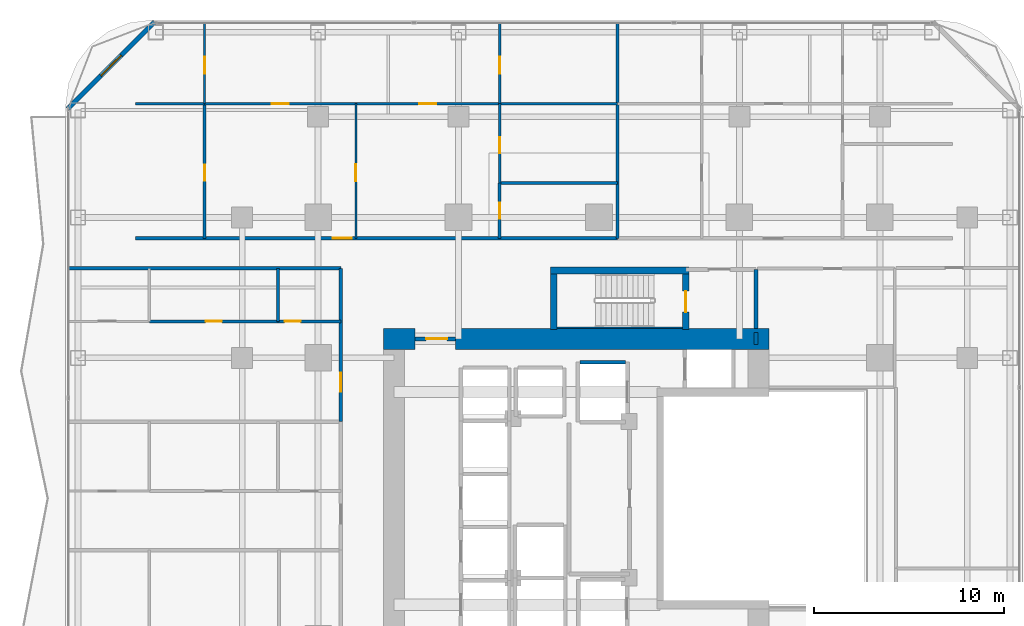
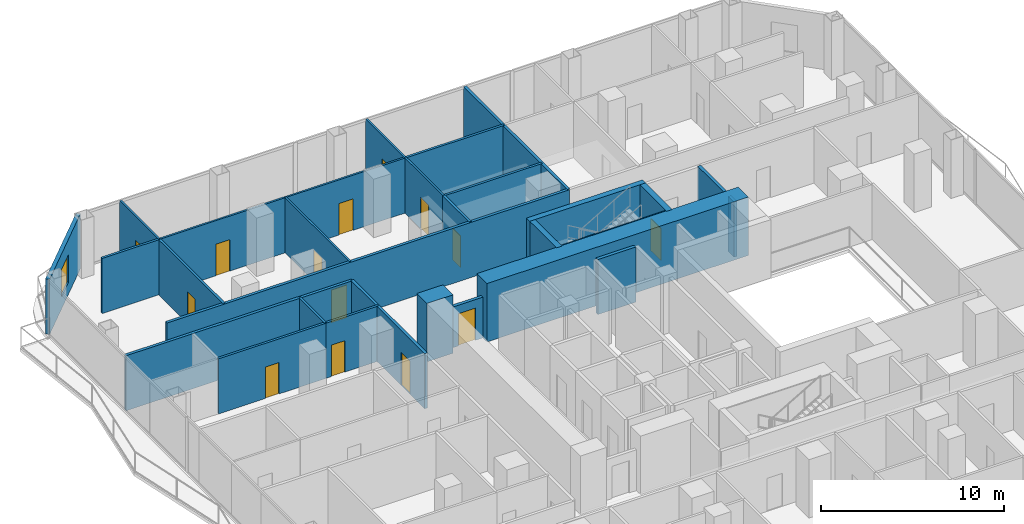
# One storey, part 23 of 29: 29 walls, 14 doors, 1 window, 15 openings.
"""IFC4 building model written with IfcOpenShell, lengths in metres."""

from ifc_helpers import new_model, si_unit, direction, frame, frame_2d, origin, place, context, subcontext, project, spatial, rectangle, extrude, material, layer, layer_set, type_object, element, fill, save


model = new_model("IFC4")

# Units and contexts
model_context = context("Model", 3, precision=1e-05, world=origin(), true_north=direction((0.0, 1.0)))
body_context = subcontext(model_context, "Body", "Model", "MODEL_VIEW")
ifc_project = project(units=[si_unit("LENGTHUNIT", "METRE"), si_unit("AREAUNIT", "SQUARE_METRE"), si_unit("VOLUMEUNIT", "CUBIC_METRE"), si_unit("PLANEANGLEUNIT", "RADIAN"), si_unit("MASSUNIT", "GRAM", prefix="KILO")], contexts=[model_context])

# Site, building, storey
site_placement = place(None, origin())
site = spatial("IfcSite", under=ifc_project, at=site_placement, CompositionType="ELEMENT")
building_placement = place(site_placement, origin())
building = spatial("IfcBuilding", under=site, at=building_placement, Name="Khorvyn Point Tower", CompositionType="ELEMENT")
storey_placement = place(building_placement, frame((0.0, 0.0, 61.800048828125)))
storey = spatial("IfcBuildingStorey", under=building, at=storey_placement, Name="L16", CompositionType="ELEMENT", Elevation=61.800048828125)

# Wall, opening, door
ifc_material_1 = material(Name="Double acoustic gypsum on twin steel stud", Category="steel")
ifc_layer_1 = layer(ifc_material_1, 0.179931640625)
ifc_layer_set_1 = layer_set([ifc_layer_1], Name="Acoustic Double-Stud Apartment Demising Wall 180")
wall_type_1 = type_object("IfcWallType", Name="Acoustic Double-Stud Apartment Demising Wall 180", PredefinedType="PARTITIONING", material=ifc_layer_set_1)
wall_1_placement = place(storey_placement, frame((-24.419921875, 13.699951171875, 0.0), z_axis=(0.0, 0.0, 1.0), x_axis=(1.0, 0.0, 0.0)))
wall_1 = element("IfcWall", 1, at=wall_1_placement, inside=storey, type_object=wall_type_1, Name="Wall", PredefinedType="PARTITIONING", context=body_context, shape_type="SweptSolid", body=[
    extrude(rectangle(XDim=25.39404296875, YDim=0.179931640625, at=frame_2d((12.697021484375, 0.0))), origin(), (0.0, 0.0, 1.0), 3.679931640625),
])
opening_1_placement = place(wall_1_placement, frame((10.400390625, 0.0, 0.0)))
opening_1 = element("IfcOpeningElement", 2, at=opening_1_placement, cuts=wall_1, Name="Opening ID-AP60", PredefinedType="OPENING", context=body_context, shape_type="SweptSolid", body=[
    extrude(rectangle(XDim=1.0, YDim=2.199951171875, at=frame_2d((0.5, 1.10009765625))), frame((0.0, 0.099853515625, 0.0), z_axis=(0.0, -1.0, 0.0), x_axis=(1.0, 0.0, 0.0)), (0.0, 0.0, 1.0), 0.199951171875),
])
ifc_material_2 = material(Name="Engineered hardwood fire-rated leaf", Category="wood")
door_type_1 = type_object("IfcDoorType", Name="Acoustic Solid-Core Timber Apartment Entrance Door 1000x2200", OperationType="NOTDEFINED", PredefinedType="DOOR", material=ifc_material_2)
door_1_placement = place(opening_1_placement, origin())
door_1 = element("IfcDoor", 3, at=door_1_placement, inside=storey, type_object=door_type_1, Name="Door", OperationType="SINGLE_SWING_LEFT", OverallHeight=2.199951171875, OverallWidth=1.0, PredefinedType="DOOR", context=body_context, shape_type="SweptSolid", body=[
    extrude(rectangle(XDim=1.0, YDim=2.199951171875, at=frame_2d((0.5, 1.10009765625))), frame((0.0, 0.02490234375, 0.0), z_axis=(0.0, -1.0, 0.0), x_axis=(1.0, 0.0, 0.0)), (0.0, 0.0, 1.0), 0.050048828125),
])
fill(opening_1, door_1)

wall_2_placement = place(storey_placement, frame((-13.60009765625, 4.0400390625, 0.0), z_axis=(0.0, 0.0, 1.0), x_axis=(0.0, 1.0, 0.0)))
wall_2 = element("IfcWall", 4, at=wall_2_placement, inside=storey, type_object=wall_type_1, Name="Wall", PredefinedType="PARTITIONING", context=body_context, shape_type="SweptSolid", body=[
    extrude(rectangle(XDim=8.080078125, YDim=0.179931640625, at=frame_2d((4.0400390625, 0.0))), origin(), (0.0, 0.0, 1.0), 3.679931640625),
])
opening_2_placement = place(wall_2_placement, frame((1.583251953125, 0.0, 0.0)))
opening_2 = element("IfcOpeningElement", 5, at=opening_2_placement, cuts=wall_2, Name="Opening ID-AP60", PredefinedType="OPENING", context=body_context, shape_type="SweptSolid", body=[
    extrude(rectangle(XDim=1.0, YDim=2.199951171875, at=frame_2d((0.5, 1.10009765625))), frame((0.0, 0.099853515625, 0.0), z_axis=(0.0, -1.0, 0.0), x_axis=(1.0, 0.0, 0.0)), (0.0, 0.0, 1.0), 0.199951171875),
])
door_2_placement = place(opening_2_placement, origin())
door_2 = element("IfcDoor", 6, at=door_2_placement, inside=storey, type_object=door_type_1, Name="Door", OperationType="SINGLE_SWING_LEFT", OverallHeight=2.199951171875, OverallWidth=1.0, PredefinedType="DOOR", context=body_context, shape_type="SweptSolid", body=[
    extrude(rectangle(XDim=1.0, YDim=2.199951171875, at=frame_2d((0.5, 1.10009765625))), frame((0.0, 0.02490234375, 0.0), z_axis=(0.0, -1.0, 0.0), x_axis=(1.0, 0.0, 0.0)), (0.0, 0.0, 1.0), 0.050048828125),
])
fill(opening_2, door_2)

# Walls
wall_3_placement = place(storey_placement, frame((0.97412109375, 13.699951171875, 0.0), z_axis=(0.0, 0.0, 1.0), x_axis=(0.0, 1.0, 0.0)))
element("IfcWall", 7, at=wall_3_placement, inside=storey, type_object=wall_type_1, Name="Wall", PredefinedType="PARTITIONING", context=body_context, shape_type="SweptSolid", body=[
    extrude(rectangle(XDim=11.330078125, YDim=0.179931640625, at=frame_2d((5.6650390625, 0.0))), origin(), (0.0, 0.0, 1.0), 3.679931640625),
])
wall_4_placement = place(storey_placement, frame((-27.929931640625, 12.1201171875, 0.0), z_axis=(0.0, 0.0, 1.0), x_axis=(1.0, 0.0, 0.0)))
element("IfcWall", 8, at=wall_4_placement, inside=storey, type_object=wall_type_1, Name="Wall", PredefinedType="PARTITIONING", context=body_context, shape_type="SweptSolid", body=[
    extrude(rectangle(XDim=14.329833984375, YDim=0.179931640625, at=frame_2d((7.1650390625, 0.0))), origin(), (0.0, 0.0, 1.0), 3.679931640625),
])

# Wall, opening, window
ifc_material_3 = material(Name="Pale anodised aluminium rainscreen on steel stud", Category="steel")
ifc_layer_2 = layer(ifc_material_3, 0.239990234375)
ifc_layer_set_2 = layer_set([ifc_layer_2], Name="Anodised Aluminium Insulated Corner Spandrel Wall 240")
wall_type_2 = type_object("IfcWallType", Name="Anodised Aluminium Insulated Corner Spandrel Wall 240", PredefinedType="SOLIDWALL", material=ifc_layer_set_2)
wall_5_placement = place(storey_placement, frame((-27.992431640625, 20.507568359375, 0.0), z_axis=(0.0, 0.0, 1.0), x_axis=(0.707106781187, 0.707106781187, 0.0)))
wall_5 = element("IfcWall", 9, at=wall_5_placement, inside=storey, type_object=wall_type_2, Name="L16 Rounded Corner Wall NW", PredefinedType="SOLIDWALL", context=body_context, shape_type="SweptSolid", body=[
    extrude(rectangle(XDim=6.48388671875, YDim=0.239990234375, at=frame_2d((3.241943359375, 0.0))), origin(), (0.0, 0.0, 1.0), 3.679931640625),
])
opening_3_placement = place(wall_5_placement, frame((2.491943359375, 0.0, 0.800048828125)))
opening_3 = element("IfcOpeningElement", 10, at=opening_3_placement, cuts=wall_5, Name="Opening WN-1518", PredefinedType="OPENING", context=body_context, shape_type="SweptSolid", body=[
    extrude(rectangle(XDim=1.5, YDim=1.85009765625, at=frame_2d((0.75, 0.925048828125))), frame((0.0, 0.1298828125, 0.0), z_axis=(0.0, -1.0, 0.0), x_axis=(1.0, 0.0, 0.0)), (0.0, 0.0, 1.0), 0.260009765625),
])
ifc_material_4 = material(Name="Anodised aluminium 6063-T6 and laminated Low-E glass", Category="aluminium")
window_type = type_object("IfcWindowType", Name="Anodised Aluminium Rounded-Corner Panoramic Window 1500x1850", PartitioningType="SINGLE_PANEL", PredefinedType="WINDOW", material=ifc_material_4)
window_placement = place(opening_3_placement, origin())
window = element("IfcWindow", 11, at=window_placement, inside=storey, type_object=window_type, Name="L16 Corner Panoramic Window NW", OverallHeight=1.85009765625, OverallWidth=1.5, PartitioningType="SINGLE_PANEL", PredefinedType="WINDOW", context=body_context, shape_type="SweptSolid", body=[
    extrude(rectangle(XDim=1.5, YDim=1.85009765625, at=frame_2d((0.75, 0.925048828125))), frame((0.0, 0.030029296875, 0.0), z_axis=(0.0, -1.0, 0.0), x_axis=(1.0, 0.0, 0.0)), (0.0, 0.0, 1.0), 0.06005859375),
])
fill(opening_3, window)

# Wall, opening, door
ifc_material_5 = material(Name="Concrete C40/50", Category="concrete")
ifc_layer_3 = layer(ifc_material_5, 0.199951171875)
ifc_layer_set_3 = layer_set([ifc_layer_3], Name="Concrete C40/50 Fire-Lobby Compartment Wall 200")
wall_type_3 = type_object("IfcWallType", Name="Concrete C40/50 Fire-Lobby Compartment Wall 200", PredefinedType="SOLIDWALL", material=ifc_layer_set_3)
wall_6_placement = place(storey_placement, frame((-9.699951171875, 8.39990234375, 0.0), z_axis=(0.0, 0.0, 1.0), x_axis=(1.0, 0.0, 0.0)))
wall_6 = element("IfcWall", 12, at=wall_6_placement, inside=storey, type_object=wall_type_3, Name="Wall", PredefinedType="SOLIDWALL", context=body_context, shape_type="SweptSolid", body=[
    extrude(rectangle(XDim=2.14990234375, YDim=0.199951171875, at=frame_2d((1.074951171875, 0.0))), origin(), (0.0, 0.0, 1.0), 2.719970703125),
])
opening_4_placement = place(wall_6_placement, frame((0.597900390625, 0.0, 0.0)))
opening_4 = element("IfcOpeningElement", 13, at=opening_4_placement, cuts=wall_6, Name="Opening ID-FL90", PredefinedType="OPENING", context=body_context, shape_type="SweptSolid", body=[
    extrude(rectangle(XDim=1.10009765625, YDim=2.14990234375, at=frame_2d((0.550048828125, 1.074951171875))), frame((0.0, 0.10986328125, 0.0), z_axis=(0.0, -1.0, 0.0), x_axis=(1.0, 0.0, 0.0)), (0.0, 0.0, 1.0), 0.219970703125),
])
ifc_material_6 = material(Name="Galvanised powder-coated steel", Category="steel")
door_type_2 = type_object("IfcDoorType", Name="Fire-Rated Steel Lobby and Stair Door 1100x2150", OperationType="NOTDEFINED", PredefinedType="DOOR", material=ifc_material_6)
door_3_placement = place(opening_4_placement, origin())
door_3 = element("IfcDoor", 14, at=door_3_placement, inside=storey, type_object=door_type_2, Name="Door", OperationType="SINGLE_SWING_LEFT", OverallHeight=2.14990234375, OverallWidth=1.10009765625, PredefinedType="DOOR", context=body_context, shape_type="SweptSolid", body=[
    extrude(rectangle(XDim=1.10009765625, YDim=2.14990234375, at=frame_2d((0.550048828125, 1.074951171875))), frame((0.0, 0.02490234375, 0.0), z_axis=(0.0, -1.0, 0.0), x_axis=(1.0, 0.0, 0.0)), (0.0, 0.0, 1.0), 0.050048828125),
])
fill(opening_4, door_3)

# Walls
wall_7_placement = place(storey_placement, frame((8.280029296875, 8.949951171875, 0.0), z_axis=(0.0, 0.0, 1.0), x_axis=(0.0, 1.0, 0.0)))
element("IfcWall", 15, at=wall_7_placement, inside=storey, type_object=wall_type_3, Name="Wall", PredefinedType="SOLIDWALL", context=body_context, shape_type="SweptSolid", body=[
    extrude(rectangle(XDim=3.110107421875, YDim=0.199951171875, at=frame_2d((1.55517578125, 0.0))), origin(), (0.0, 0.0, 1.0), 3.679931640625),
])
wall_8_placement = place(storey_placement, frame((8.280029296875, 8.10009765625, 0.0), z_axis=(0.0, 0.0, 1.0), x_axis=(0.0, 1.0, 0.0)))
element("IfcWall", 16, at=wall_8_placement, inside=storey, type_object=wall_type_3, Name="Wall", PredefinedType="SOLIDWALL", context=body_context, shape_type="SweptSolid", body=[
    extrude(rectangle(XDim=0.625, YDim=0.199951171875, at=frame_2d((0.3125, 0.0))), origin(), (0.0, 0.0, 1.0), 3.679931640625),
])
ifc_layer_4 = layer(ifc_material_5, 0.25)
ifc_layer_set_4 = layer_set([ifc_layer_4], Name="Concrete C40/50 Stair Inner Cheek Structural Wall 250")
wall_type_4 = type_object("IfcWallType", Name="Concrete C40/50 Stair Inner Cheek Structural Wall 250", PredefinedType="SHEAR", material=ifc_layer_set_4)
wall_9_placement = place(storey_placement, frame((-2.199951171875, 8.987548828125, 0.0), z_axis=(0.0, 0.0, 1.0), x_axis=(1.0, 0.0, 0.0)))
element("IfcWall", 17, at=wall_9_placement, inside=storey, type_object=wall_type_4, Name="Wall", PredefinedType="SHEAR", context=body_context, shape_type="SweptSolid", body=[
    extrude(rectangle(XDim=6.599853515625, YDim=0.074951171875, at=frame_2d((3.2998046875, 0.0))), origin(), (0.0, 0.0, 1.0), 3.89990234375),
])
ifc_layer_5 = layer(ifc_material_5, 0.35009765625)
ifc_layer_set_5 = layer_set([ifc_layer_5], Name="Concrete C40/50 Stair Shaft Structural Wall 350")
wall_type_5 = type_object("IfcWallType", Name="Concrete C40/50 Stair Shaft Structural Wall 350", PredefinedType="SHEAR", material=ifc_layer_set_5)
wall_10_placement = place(storey_placement, frame((-2.554931640625, 12.0, 0.0), z_axis=(0.0, 0.0, 1.0), x_axis=(1.0, 0.0, 0.0)))
element("IfcWall", 18, at=wall_10_placement, inside=storey, type_object=wall_type_5, Name="L16 ST-02 North Shaft Wall", PredefinedType="SHEAR", context=body_context, shape_type="SweptSolid", body=[
    extrude(rectangle(XDim=7.309814453125, YDim=0.35009765625, at=frame_2d((3.65478515625, 0.0))), origin(), (0.0, 0.0, 1.0), 3.89990234375),
])
wall_11_placement = place(storey_placement, frame((-2.3798828125, 8.89990234375, 0.0), z_axis=(0.0, 0.0, 1.0), x_axis=(0.0, 1.0, 0.0)))
element("IfcWall", 19, at=wall_11_placement, inside=storey, type_object=wall_type_5, Name="L16 ST-02 West Shaft Wall", PredefinedType="SHEAR", context=body_context, shape_type="SweptSolid", body=[
    extrude(rectangle(XDim=2.925048828125, YDim=0.35009765625, at=frame_2d((1.46240234375, 0.0))), origin(), (0.0, 0.0, 1.0), 3.89990234375),
])

# Wall, opening, door
wall_12_placement = place(storey_placement, frame((4.580078125, 11.824951171875, 0.0), z_axis=(0.0, 0.0, 1.0), x_axis=(0.0, -1.0, 0.0)))
wall_12 = element("IfcWall", 20, at=wall_12_placement, inside=storey, type_object=wall_type_5, Name="L16 ST-02 East Landing Door Wall", PredefinedType="SHEAR", context=body_context, shape_type="SweptSolid", body=[
    extrude(rectangle(XDim=2.925048828125, YDim=0.35009765625, at=frame_2d((1.46240234375, 0.0))), origin(), (0.0, 0.0, 1.0), 3.89990234375),
])
opening_5_placement = place(wall_12_placement, frame((0.91259765625, 0.0, 0.0)))
opening_5 = element("IfcOpeningElement", 21, at=opening_5_placement, cuts=wall_12, Name="Opening ID-FL90", PredefinedType="OPENING", context=body_context, shape_type="SweptSolid", body=[
    extrude(rectangle(XDim=1.10009765625, YDim=2.14990234375, at=frame_2d((0.550048828125, 1.074951171875))), frame((0.0, 0.18505859375, 0.0), z_axis=(0.0, -1.0, 0.0), x_axis=(1.0, 0.0, 0.0)), (0.0, 0.0, 1.0), 0.3701171875),
])
door_4_placement = place(opening_5_placement, origin())
door_4 = element("IfcDoor", 22, at=door_4_placement, inside=storey, type_object=door_type_2, Name="L16 ST-02 Smokeproof Landing Door", OperationType="SINGLE_SWING_LEFT", OverallHeight=2.14990234375, OverallWidth=1.10009765625, PredefinedType="DOOR", context=body_context, shape_type="SweptSolid", body=[
    extrude(rectangle(XDim=1.10009765625, YDim=2.14990234375, at=frame_2d((0.550048828125, 1.074951171875))), frame((0.0, 0.02490234375, 0.0), z_axis=(0.0, -1.0, 0.0), x_axis=(1.0, 0.0, 0.0)), (0.0, 0.0, 1.0), 0.050048828125),
])
fill(opening_5, door_4)

# Walls
ifc_layer_6 = layer(ifc_material_5, 0.199951171875)
ifc_layer_set_6 = layer_set([ifc_layer_6], Name="Concrete C40/50 Structural Hoistway and Stair Shaft Wall 200")
wall_type_6 = type_object("IfcWallType", Name="Concrete C40/50 Structural Hoistway and Stair Shaft Wall 200", PredefinedType="SHEAR", material=ifc_layer_set_6)
wall_13_placement = place(storey_placement, frame((-1.0, 7.175048828125, 0.0), z_axis=(0.0, 0.0, 1.0), x_axis=(1.0, 0.0, 0.0)))
element("IfcWall", 23, at=wall_13_placement, inside=storey, type_object=wall_type_6, Name="Wall", PredefinedType="SHEAR", context=body_context, shape_type="SweptSolid", body=[
    extrude(rectangle(XDim=2.39990234375, YDim=0.199951171875, at=frame_2d((1.199951171875, 0.0))), origin(), (0.0, 0.0, 1.0), 3.679931640625),
])
ifc_material_7 = material(Name="Concrete C50/60", Category="concrete")
ifc_layer_7 = layer(ifc_material_7, 1.10009765625)
ifc_layer_set_7 = layer_set([ifc_layer_7], Name="Concrete C50/60 Core Shear Wall 1100")
wall_type_7 = type_object("IfcWallType", Name="Concrete C50/60 Core Shear Wall 1100", PredefinedType="SHEAR", material=ifc_layer_set_7)
wall_14_placement = place(storey_placement, frame((-11.35009765625, 8.39990234375, 0.0), z_axis=(0.0, 0.0, 1.0), x_axis=(1.0, 0.0, 0.0)))
element("IfcWall", 24, at=wall_14_placement, inside=storey, type_object=wall_type_7, Name="Wall", PredefinedType="SHEAR", context=body_context, shape_type="SweptSolid", body=[
    extrude(rectangle(XDim=1.650146484375, YDim=1.10009765625, at=frame_2d((0.8251953125, 0.0))), origin(), (0.0, 0.0, 1.0), 3.89990234375),
])
wall_15_placement = place(storey_placement, frame((-7.550048828125, 8.39990234375, 0.0), z_axis=(0.0, 0.0, 1.0), x_axis=(1.0, 0.0, 0.0)))
element("IfcWall", 25, at=wall_15_placement, inside=storey, type_object=wall_type_7, Name="Wall", PredefinedType="SHEAR", context=body_context, shape_type="SweptSolid", body=[
    extrude(rectangle(XDim=16.5, YDim=1.10009765625, at=frame_2d((8.25, 0.0))), origin(), (0.0, 0.0, 1.0), 3.89990234375),
])

# Wall, opening, door
ifc_material_8 = material(Name="Gypsum plasterboard on steel stud", Category="steel")
ifc_layer_8 = layer(ifc_material_8, 0.1201171875)
ifc_layer_set_8 = layer_set([ifc_layer_8], Name="Gypsum Acoustic Stud Room Partition Wall 120")
wall_type_8 = type_object("IfcWallType", Name="Gypsum Acoustic Stud Room Partition Wall 120", PredefinedType="PARTITIONING", material=ifc_layer_set_8)
wall_16_placement = place(storey_placement, frame((-20.77587890625, 20.7900390625, 0.0), z_axis=(0.0, 0.0, 1.0), x_axis=(1.0, 0.0, 0.0)))
wall_16 = element("IfcWall", 26, at=wall_16_placement, inside=storey, type_object=wall_type_8, Name="Wall", PredefinedType="PARTITIONING", context=body_context, shape_type="SweptSolid", body=[
    extrude(rectangle(XDim=7.970947265625, YDim=0.1201171875, at=frame_2d((3.9853515625, 0.0))), origin(), (0.0, 0.0, 1.0), 3.679931640625),
])
opening_6_placement = place(wall_16_placement, frame((3.535400390625, 0.0, 0.0)))
opening_6 = element("IfcOpeningElement", 27, at=opening_6_placement, cuts=wall_16, Name="Opening ID-RM90", PredefinedType="OPENING", context=body_context, shape_type="SweptSolid", body=[
    extrude(rectangle(XDim=0.89990234375, YDim=2.10009765625, at=frame_2d((0.449951171875, 1.050048828125))), frame((0.0, 0.070068359375, 0.0), z_axis=(0.0, -1.0, 0.0), x_axis=(1.0, 0.0, 0.0)), (0.0, 0.0, 1.0), 0.14013671875),
])
ifc_material_9 = material(Name="Engineered oak veneer timber", Category="wood")
door_type_3 = type_object("IfcDoorType", Name="Flush Engineered Timber Room Door 900x2100", OperationType="NOTDEFINED", PredefinedType="DOOR", material=ifc_material_9)
door_5_placement = place(opening_6_placement, origin())
door_5 = element("IfcDoor", 28, at=door_5_placement, inside=storey, type_object=door_type_3, Name="Door", OperationType="SINGLE_SWING_RIGHT", OverallHeight=2.10009765625, OverallWidth=0.89990234375, PredefinedType="DOOR", context=body_context, shape_type="SweptSolid", body=[
    extrude(rectangle(XDim=0.89990234375, YDim=2.10009765625, at=frame_2d((0.449951171875, 1.050048828125))), frame((0.0, 0.02490234375, 0.0), z_axis=(0.0, -1.0, 0.0), x_axis=(1.0, 0.0, 0.0)), (0.0, 0.0, 1.0), 0.050048828125),
])
fill(opening_6, door_5)

wall_17_placement = place(storey_placement, frame((-12.804931640625, 20.7900390625, 0.0), z_axis=(0.0, 0.0, 1.0), x_axis=(1.0, 0.0, 0.0)))
wall_17 = element("IfcWall", 29, at=wall_17_placement, inside=storey, type_object=wall_type_8, Name="Wall", PredefinedType="PARTITIONING", context=body_context, shape_type="SweptSolid", body=[
    extrude(rectangle(XDim=7.572998046875, YDim=0.1201171875, at=frame_2d((3.78662109375, 0.0))), origin(), (0.0, 0.0, 1.0), 3.679931640625),
])
opening_7_placement = place(wall_17_placement, frame((3.33642578125, 0.0, 0.0)))
opening_7 = element("IfcOpeningElement", 30, at=opening_7_placement, cuts=wall_17, Name="Opening ID-RM90", PredefinedType="OPENING", context=body_context, shape_type="SweptSolid", body=[
    extrude(rectangle(XDim=0.89990234375, YDim=2.10009765625, at=frame_2d((0.449951171875, 1.050048828125))), frame((0.0, 0.070068359375, 0.0), z_axis=(0.0, -1.0, 0.0), x_axis=(1.0, 0.0, 0.0)), (0.0, 0.0, 1.0), 0.14013671875),
])
door_6_placement = place(opening_7_placement, origin())
door_6 = element("IfcDoor", 31, at=door_6_placement, inside=storey, type_object=door_type_3, Name="Door", OperationType="SINGLE_SWING_LEFT", OverallHeight=2.10009765625, OverallWidth=0.89990234375, PredefinedType="DOOR", context=body_context, shape_type="SweptSolid", body=[
    extrude(rectangle(XDim=0.89990234375, YDim=2.10009765625, at=frame_2d((0.449951171875, 1.050048828125))), frame((0.0, 0.02490234375, 0.0), z_axis=(0.0, -1.0, 0.0), x_axis=(1.0, 0.0, 0.0)), (0.0, 0.0, 1.0), 0.050048828125),
])
fill(opening_7, door_6)

wall_18_placement = place(storey_placement, frame((-12.804931640625, 13.699951171875, 0.0), z_axis=(0.0, 0.0, 1.0), x_axis=(0.0, 1.0, 0.0)))
wall_18 = element("IfcWall", 32, at=wall_18_placement, inside=storey, type_object=wall_type_8, Name="Wall", PredefinedType="PARTITIONING", context=body_context, shape_type="SweptSolid", body=[
    extrude(rectangle(XDim=7.090087890625, YDim=0.1201171875, at=frame_2d((3.544921875, 0.0))), origin(), (0.0, 0.0, 1.0), 3.679931640625),
])
opening_8_placement = place(wall_18_placement, frame((3.006103515625, 0.0, 0.0)))
opening_8 = element("IfcOpeningElement", 33, at=opening_8_placement, cuts=wall_18, Name="Opening ID-RM90", PredefinedType="OPENING", context=body_context, shape_type="SweptSolid", body=[
    extrude(rectangle(XDim=0.89990234375, YDim=2.10009765625, at=frame_2d((0.449951171875, 1.050048828125))), frame((0.0, 0.070068359375, 0.0), z_axis=(0.0, -1.0, 0.0), x_axis=(1.0, 0.0, 0.0)), (0.0, 0.0, 1.0), 0.14013671875),
])
door_7_placement = place(opening_8_placement, origin())
door_7 = element("IfcDoor", 34, at=door_7_placement, inside=storey, type_object=door_type_3, Name="Door", OperationType="SINGLE_SWING_RIGHT", OverallHeight=2.10009765625, OverallWidth=0.89990234375, PredefinedType="DOOR", context=body_context, shape_type="SweptSolid", body=[
    extrude(rectangle(XDim=0.89990234375, YDim=2.10009765625, at=frame_2d((0.449951171875, 1.050048828125))), frame((0.0, 0.02490234375, 0.0), z_axis=(0.0, -1.0, 0.0), x_axis=(1.0, 0.0, 0.0)), (0.0, 0.0, 1.0), 0.050048828125),
])
fill(opening_8, door_7)

wall_19_placement = place(storey_placement, frame((-20.77587890625, 20.7900390625, 0.0), z_axis=(0.0, 0.0, 1.0), x_axis=(0.0, 1.0, 0.0)))
wall_19 = element("IfcWall", 35, at=wall_19_placement, inside=storey, type_object=wall_type_8, Name="Wall", PredefinedType="PARTITIONING", context=body_context, shape_type="SweptSolid", body=[
    extrude(rectangle(XDim=4.239990234375, YDim=0.1201171875, at=frame_2d((2.1201171875, 0.0))), origin(), (0.0, 0.0, 1.0), 3.679931640625),
])
opening_9_placement = place(wall_19_placement, frame((1.581298828125, 0.0, 0.0)))
opening_9 = element("IfcOpeningElement", 36, at=opening_9_placement, cuts=wall_19, Name="Opening ID-RM90", PredefinedType="OPENING", context=body_context, shape_type="SweptSolid", body=[
    extrude(rectangle(XDim=0.89990234375, YDim=2.10009765625, at=frame_2d((0.449951171875, 1.050048828125))), frame((0.0, 0.070068359375, 0.0), z_axis=(0.0, -1.0, 0.0), x_axis=(1.0, 0.0, 0.0)), (0.0, 0.0, 1.0), 0.14013671875),
])
door_8_placement = place(opening_9_placement, origin())
door_8 = element("IfcDoor", 37, at=door_8_placement, inside=storey, type_object=door_type_3, Name="Door", OperationType="SINGLE_SWING_RIGHT", OverallHeight=2.10009765625, OverallWidth=0.89990234375, PredefinedType="DOOR", context=body_context, shape_type="SweptSolid", body=[
    extrude(rectangle(XDim=0.89990234375, YDim=2.10009765625, at=frame_2d((0.449951171875, 1.050048828125))), frame((0.0, 0.02490234375, 0.0), z_axis=(0.0, -1.0, 0.0), x_axis=(1.0, 0.0, 0.0)), (0.0, 0.0, 1.0), 0.050048828125),
])
fill(opening_9, door_8)

wall_20_placement = place(storey_placement, frame((-5.23193359375, 16.60693359375, 0.0), z_axis=(0.0, 0.0, 1.0), x_axis=(0.0, 1.0, 0.0)))
wall_20 = element("IfcWall", 38, at=wall_20_placement, inside=storey, type_object=wall_type_8, Name="Wall", PredefinedType="PARTITIONING", context=body_context, shape_type="SweptSolid", body=[
    extrude(rectangle(XDim=4.18310546875, YDim=0.1201171875, at=frame_2d((2.091552734375, 0.0))), origin(), (0.0, 0.0, 1.0), 3.679931640625),
])
opening_10_placement = place(wall_20_placement, frame((1.577880859375, 0.0, 0.0)))
opening_10 = element("IfcOpeningElement", 39, at=opening_10_placement, cuts=wall_20, Name="Opening ID-WC85", PredefinedType="OPENING", context=body_context, shape_type="SweptSolid", body=[
    extrude(rectangle(XDim=0.85009765625, YDim=2.10009765625, at=frame_2d((0.425048828125, 1.050048828125))), frame((0.0, 0.070068359375, 0.0), z_axis=(0.0, -1.0, 0.0), x_axis=(1.0, 0.0, 0.0)), (0.0, 0.0, 1.0), 0.14013671875),
])
ifc_material_10 = material(Name="High-pressure laminate on moisture-resistant core", Category="wood")
door_type_4 = type_object("IfcDoorType", Name="Moisture-Resistant Accessible Washroom Door 850x2100", OperationType="NOTDEFINED", PredefinedType="DOOR", material=ifc_material_10)
door_9_placement = place(opening_10_placement, origin())
door_9 = element("IfcDoor", 40, at=door_9_placement, inside=storey, type_object=door_type_4, Name="Door", OperationType="SINGLE_SWING_RIGHT", OverallHeight=2.10009765625, OverallWidth=0.85009765625, PredefinedType="DOOR", context=body_context, shape_type="SweptSolid", body=[
    extrude(rectangle(XDim=0.85009765625, YDim=2.10009765625, at=frame_2d((0.425048828125, 1.050048828125))), frame((0.0, 0.02490234375, 0.0), z_axis=(0.0, -1.0, 0.0), x_axis=(1.0, 0.0, 0.0)), (0.0, 0.0, 1.0), 0.050048828125),
])
fill(opening_10, door_9)

wall_21_placement = place(storey_placement, frame((-5.23193359375, 20.7900390625, 0.0), z_axis=(0.0, 0.0, 1.0), x_axis=(0.0, 1.0, 0.0)))
wall_21 = element("IfcWall", 41, at=wall_21_placement, inside=storey, type_object=wall_type_8, Name="Wall", PredefinedType="PARTITIONING", context=body_context, shape_type="SweptSolid", body=[
    extrude(rectangle(XDim=4.239990234375, YDim=0.1201171875, at=frame_2d((2.1201171875, 0.0))), origin(), (0.0, 0.0, 1.0), 3.679931640625),
])
opening_11_placement = place(wall_21_placement, frame((1.581298828125, 0.0, 0.0)))
opening_11 = element("IfcOpeningElement", 42, at=opening_11_placement, cuts=wall_21, Name="Opening ID-RM90", PredefinedType="OPENING", context=body_context, shape_type="SweptSolid", body=[
    extrude(rectangle(XDim=0.89990234375, YDim=2.10009765625, at=frame_2d((0.449951171875, 1.050048828125))), frame((0.0, 0.070068359375, 0.0), z_axis=(0.0, -1.0, 0.0), x_axis=(1.0, 0.0, 0.0)), (0.0, 0.0, 1.0), 0.14013671875),
])
door_10_placement = place(opening_11_placement, origin())
door_10 = element("IfcDoor", 43, at=door_10_placement, inside=storey, type_object=door_type_3, Name="Door", OperationType="SINGLE_SWING_LEFT", OverallHeight=2.10009765625, OverallWidth=0.89990234375, PredefinedType="DOOR", context=body_context, shape_type="SweptSolid", body=[
    extrude(rectangle(XDim=0.89990234375, YDim=2.10009765625, at=frame_2d((0.449951171875, 1.050048828125))), frame((0.0, 0.02490234375, 0.0), z_axis=(0.0, -1.0, 0.0), x_axis=(1.0, 0.0, 0.0)), (0.0, 0.0, 1.0), 0.050048828125),
])
fill(opening_11, door_10)

ifc_material_11 = material(Name="Moisture-resistant gypsum and cement board", Category="gypsum")
ifc_layer_9 = layer(ifc_material_11, 0.14990234375)
ifc_layer_set_9 = layer_set([ifc_layer_9], Name="Moisture-Resistant Wet-Room Partition Wall 150")
wall_type_9 = type_object("IfcWallType", Name="Moisture-Resistant Wet-Room Partition Wall 150", PredefinedType="PARTITIONING", material=ifc_layer_set_9)
wall_22_placement = place(storey_placement, frame((-20.77587890625, 13.699951171875, 0.0), z_axis=(0.0, 0.0, 1.0), x_axis=(0.0, 1.0, 0.0)))
wall_22 = element("IfcWall", 44, at=wall_22_placement, inside=storey, type_object=wall_type_9, Name="Wall", PredefinedType="PARTITIONING", context=body_context, shape_type="SweptSolid", body=[
    extrude(rectangle(XDim=7.090087890625, YDim=0.14990234375, at=frame_2d((3.544921875, 0.0))), origin(), (0.0, 0.0, 1.0), 3.679931640625),
])
opening_12_placement = place(wall_22_placement, frame((3.0302734375, 0.0, 0.0)))
opening_12 = element("IfcOpeningElement", 45, at=opening_12_placement, cuts=wall_22, Name="Opening ID-WC85", PredefinedType="OPENING", context=body_context, shape_type="SweptSolid", body=[
    extrude(rectangle(XDim=0.85009765625, YDim=2.10009765625, at=frame_2d((0.425048828125, 1.050048828125))), frame((0.0, 0.0849609375, 0.0), z_axis=(0.0, -1.0, 0.0), x_axis=(1.0, 0.0, 0.0)), (0.0, 0.0, 1.0), 0.169921875),
])
door_11_placement = place(opening_12_placement, origin())
door_11 = element("IfcDoor", 46, at=door_11_placement, inside=storey, type_object=door_type_4, Name="Door", OperationType="SINGLE_SWING_LEFT", OverallHeight=2.10009765625, OverallWidth=0.85009765625, PredefinedType="DOOR", context=body_context, shape_type="SweptSolid", body=[
    extrude(rectangle(XDim=0.85009765625, YDim=2.10009765625, at=frame_2d((0.425048828125, 1.050048828125))), frame((0.0, 0.02490234375, 0.0), z_axis=(0.0, -1.0, 0.0), x_axis=(1.0, 0.0, 0.0)), (0.0, 0.0, 1.0), 0.050048828125),
])
fill(opening_12, door_11)

wall_23_placement = place(storey_placement, frame((-5.23193359375, 13.699951171875, 0.0), z_axis=(0.0, 0.0, 1.0), x_axis=(0.0, 1.0, 0.0)))
wall_23 = element("IfcWall", 47, at=wall_23_placement, inside=storey, type_object=wall_type_9, Name="Wall", PredefinedType="PARTITIONING", context=body_context, shape_type="SweptSolid", body=[
    extrude(rectangle(XDim=2.906982421875, YDim=0.14990234375, at=frame_2d((1.45361328125, 0.0))), origin(), (0.0, 0.0, 1.0), 3.679931640625),
])
opening_13_placement = place(wall_23_placement, frame((1.028564453125, 0.0, 0.0)))
opening_13 = element("IfcOpeningElement", 48, at=opening_13_placement, cuts=wall_23, Name="Opening ID-WC85", PredefinedType="OPENING", context=body_context, shape_type="SweptSolid", body=[
    extrude(rectangle(XDim=0.85009765625, YDim=2.10009765625, at=frame_2d((0.425048828125, 1.050048828125))), frame((0.0, 0.0849609375, 0.0), z_axis=(0.0, -1.0, 0.0), x_axis=(1.0, 0.0, 0.0)), (0.0, 0.0, 1.0), 0.169921875),
])
door_12_placement = place(opening_13_placement, origin())
door_12 = element("IfcDoor", 49, at=door_12_placement, inside=storey, type_object=door_type_4, Name="Door", OperationType="SINGLE_SWING_LEFT", OverallHeight=2.10009765625, OverallWidth=0.85009765625, PredefinedType="DOOR", context=body_context, shape_type="SweptSolid", body=[
    extrude(rectangle(XDim=0.85009765625, YDim=2.10009765625, at=frame_2d((0.425048828125, 1.050048828125))), frame((0.0, 0.02490234375, 0.0), z_axis=(0.0, -1.0, 0.0), x_axis=(1.0, 0.0, 0.0)), (0.0, 0.0, 1.0), 0.050048828125),
])
fill(opening_13, door_12)

wall_24_placement = place(storey_placement, frame((-23.68994140625, 9.320068359375, 0.0), z_axis=(0.0, 0.0, 1.0), x_axis=(1.0, 0.0, 0.0)))
wall_24 = element("IfcWall", 50, at=wall_24_placement, inside=storey, type_object=wall_type_9, Name="Wall", PredefinedType="PARTITIONING", context=body_context, shape_type="SweptSolid", body=[
    extrude(rectangle(XDim=6.787841796875, YDim=0.14990234375, at=frame_2d((3.39404296875, 0.0))), origin(), (0.0, 0.0, 1.0), 3.679931640625),
])
opening_14_placement = place(wall_24_placement, frame((2.968994140625, 0.0, 0.0)))
opening_14 = element("IfcOpeningElement", 51, at=opening_14_placement, cuts=wall_24, Name="Opening ID-WC85", PredefinedType="OPENING", context=body_context, shape_type="SweptSolid", body=[
    extrude(rectangle(XDim=0.85009765625, YDim=2.10009765625, at=frame_2d((0.425048828125, 1.050048828125))), frame((0.0, 0.0849609375, 0.0), z_axis=(0.0, -1.0, 0.0), x_axis=(1.0, 0.0, 0.0)), (0.0, 0.0, 1.0), 0.169921875),
])
door_13_placement = place(opening_14_placement, origin())
door_13 = element("IfcDoor", 52, at=door_13_placement, inside=storey, type_object=door_type_4, Name="Door", OperationType="SINGLE_SWING_RIGHT", OverallHeight=2.10009765625, OverallWidth=0.85009765625, PredefinedType="DOOR", context=body_context, shape_type="SweptSolid", body=[
    extrude(rectangle(XDim=0.85009765625, YDim=2.10009765625, at=frame_2d((0.425048828125, 1.050048828125))), frame((0.0, 0.02490234375, 0.0), z_axis=(0.0, -1.0, 0.0), x_axis=(1.0, 0.0, 0.0)), (0.0, 0.0, 1.0), 0.050048828125),
])
fill(opening_14, door_13)

wall_25_placement = place(storey_placement, frame((-16.902099609375, 9.320068359375, 0.0), z_axis=(0.0, 0.0, 1.0), x_axis=(1.0, 0.0, 0.0)))
wall_25 = element("IfcWall", 53, at=wall_25_placement, inside=storey, type_object=wall_type_9, Name="Wall", PredefinedType="PARTITIONING", context=body_context, shape_type="SweptSolid", body=[
    extrude(rectangle(XDim=3.302001953125, YDim=0.14990234375, at=frame_2d((1.65087890625, 0.0))), origin(), (0.0, 0.0, 1.0), 3.679931640625),
])
opening_15_placement = place(wall_25_placement, frame((0.337646484375, 0.0, 0.0)))
opening_15 = element("IfcOpeningElement", 54, at=opening_15_placement, cuts=wall_25, Name="Opening ID-WC85", PredefinedType="OPENING", context=body_context, shape_type="SweptSolid", body=[
    extrude(rectangle(XDim=0.85009765625, YDim=2.10009765625, at=frame_2d((0.425048828125, 1.050048828125))), frame((0.0, 0.0849609375, 0.0), z_axis=(0.0, -1.0, 0.0), x_axis=(1.0, 0.0, 0.0)), (0.0, 0.0, 1.0), 0.169921875),
])
door_14_placement = place(opening_15_placement, origin())
door_14 = element("IfcDoor", 55, at=door_14_placement, inside=storey, type_object=door_type_4, Name="Door", OperationType="SINGLE_SWING_LEFT", OverallHeight=2.10009765625, OverallWidth=0.85009765625, PredefinedType="DOOR", context=body_context, shape_type="SweptSolid", body=[
    extrude(rectangle(XDim=0.85009765625, YDim=2.10009765625, at=frame_2d((0.425048828125, 1.050048828125))), frame((0.0, 0.02490234375, 0.0), z_axis=(0.0, -1.0, 0.0), x_axis=(1.0, 0.0, 0.0)), (0.0, 0.0, 1.0), 0.050048828125),
])
fill(opening_15, door_14)

# Walls
wall_26_placement = place(storey_placement, frame((-24.419921875, 20.7900390625, 0.0), z_axis=(0.0, 0.0, 1.0), x_axis=(1.0, 0.0, 0.0)))
element("IfcWall", 56, at=wall_26_placement, inside=storey, type_object=wall_type_9, Name="Wall", PredefinedType="PARTITIONING", context=body_context, shape_type="SweptSolid", body=[
    extrude(rectangle(XDim=3.64404296875, YDim=0.14990234375, at=frame_2d((1.822021484375, 0.0))), origin(), (0.0, 0.0, 1.0), 3.679931640625),
])
for number, where, z_axis, x_axis, name in (
    (57, (-5.23193359375, 16.60693359375, 0.0), (0.0, 0.0, 1.0), (1.0, 0.0, 0.0), "Wall"),
    (58, (-5.23193359375, 20.7900390625, 0.0), (0.0, 0.0, 1.0), (1.0, 0.0, 0.0), "Wall"),
):
    element("IfcWall", number, at=place(storey_placement, frame(where, z_axis=z_axis, x_axis=x_axis)), inside=storey, type_object=wall_type_9, Name=name, PredefinedType="PARTITIONING", context=body_context, shape_type="SweptSolid", body=[
        extrude(rectangle(XDim=6.2060546875, YDim=0.14990234375, at=frame_2d((3.10302734375, 0.0))), origin(), (0.0, 0.0, 1.0), 3.679931640625),
    ])
wall_27_placement = place(storey_placement, frame((-16.902099609375, 9.320068359375, 0.0), z_axis=(0.0, 0.0, 1.0), x_axis=(0.0, 1.0, 0.0)))
element("IfcWall", 59, at=wall_27_placement, inside=storey, type_object=wall_type_9, Name="Wall", PredefinedType="PARTITIONING", context=body_context, shape_type="SweptSolid", body=[
    extrude(rectangle(XDim=2.800048828125, YDim=0.14990234375, at=frame_2d((1.39990234375, 0.0))), origin(), (0.0, 0.0, 1.0), 3.679931640625),
])

save(model, "model.ifc")
